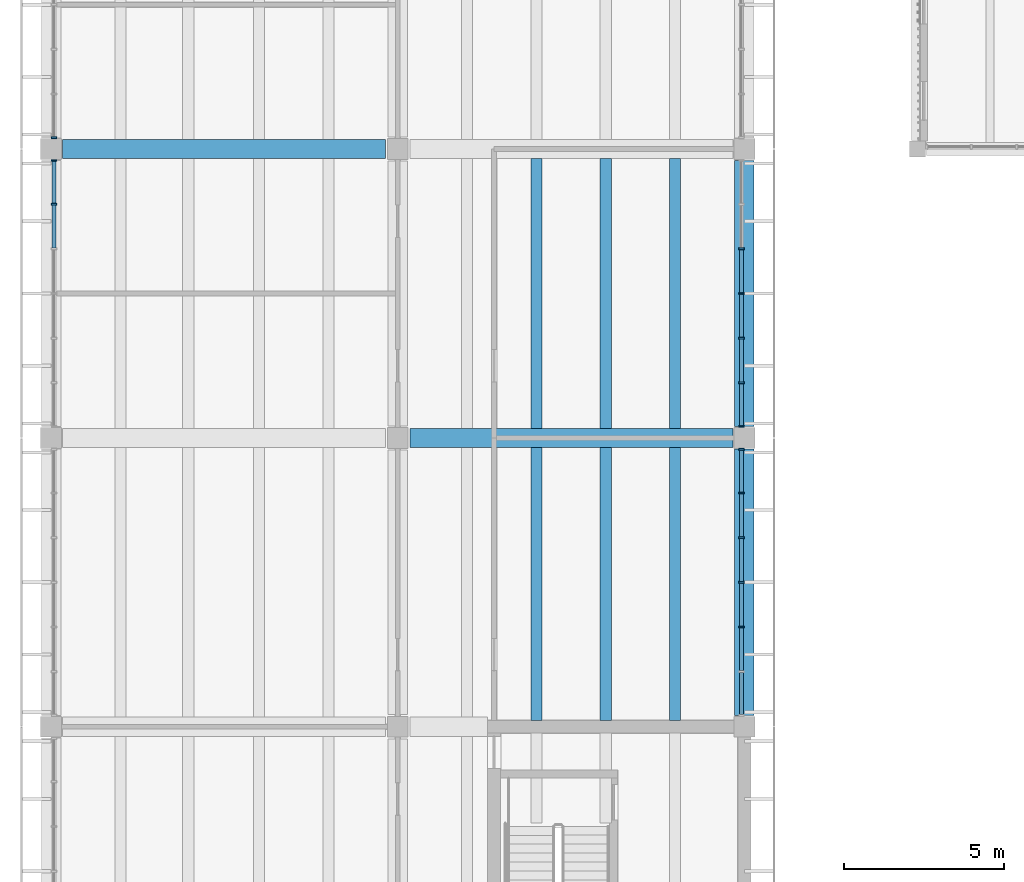
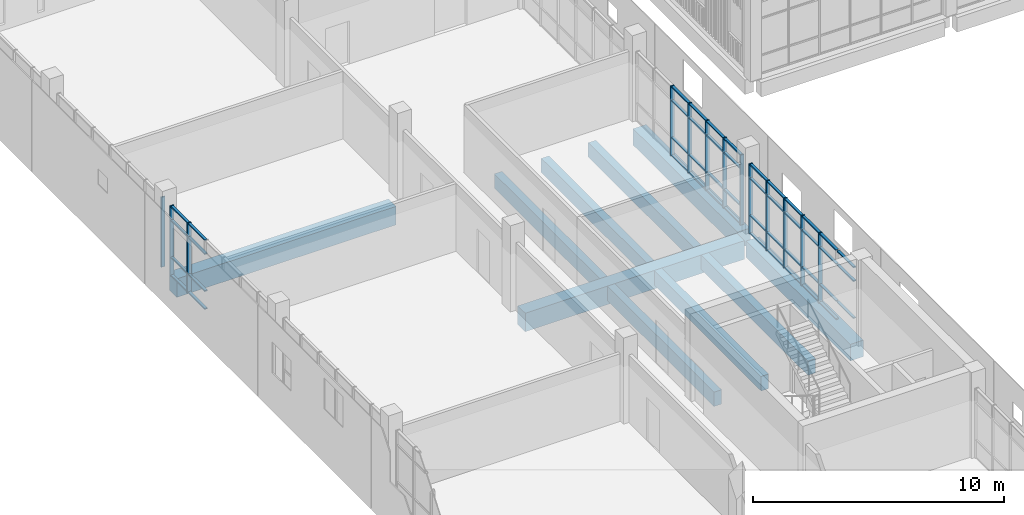
# One storey, part 19 of 92: 60 members, 10 beams, 4 elements without a shape of their own.
"""IFC4 building model written with IfcOpenShell, lengths in metres."""

from ifc_helpers import new_model, si_unit, direction, frame, origin, origin_2d, place, context, subcontext, project, spatial, rectangle, extrude, material, material_profile, profile_set, type_object, element, aggregate, save


model = new_model("IFC4")

# Units and contexts
model_context = context("Model", 3, precision=1e-05, world=origin(), true_north=direction((0.0, 1.0)))
body_context = subcontext(model_context, "Body", "Model", "MODEL_VIEW")
ifc_project = project(units=[si_unit("LENGTHUNIT", "METRE"), si_unit("AREAUNIT", "SQUARE_METRE"), si_unit("VOLUMEUNIT", "CUBIC_METRE"), si_unit("PLANEANGLEUNIT", "RADIAN"), si_unit("MASSUNIT", "GRAM", prefix="KILO")], contexts=[model_context])

# Site, building, storey
site_placement = place(None, origin())
site = spatial("IfcSite", under=ifc_project, at=site_placement, CompositionType="ELEMENT")
building_placement = place(site_placement, origin())
building = spatial("IfcBuilding", under=site, at=building_placement, Name="Merrow Basin Faculty of Sciences", CompositionType="ELEMENT")
storey_placement = place(building_placement, frame((0.0, 0.0, 4.5)))
storey = spatial("IfcBuildingStorey", under=building, at=storey_placement, Name="L01", CompositionType="ELEMENT", Elevation=4.5)

# Curtain wall, members
ifc_material_1 = material(Name="Aluminium alloy 6063", Category="aluminium")
curtain_wall_type = type_object("IfcCurtainWallType", Name="Bar unitised curtain wall 180", PredefinedType="NOTDEFINED", material=ifc_material_1)
curtain_wall_1_placement = place(storey_placement, origin())
curtain_wall_1 = element("IfcCurtainWall", 1, at=curtain_wall_1_placement, inside=storey, type_object=curtain_wall_type, Name="West curtain wall L01 5", PredefinedType="NOTDEFINED")
ifc_material_2 = material(Name="Aluminium alloy 6063", Category="aluminium")
ifc_material_profile_1 = material_profile(ifc_material_2, rectangle(XDim=0.179931640625, YDim=0.06005859375, at=origin_2d()))
ifc_profile_set_1 = profile_set([ifc_material_profile_1], Name="Aluminium alloy 6063")
member_type_1 = type_object("IfcMemberType", Name="Aluminium mullion 60x180", PredefinedType="MULLION", material=ifc_profile_set_1)
member_1_placement = place(storey_placement, frame((0.090087890625, 113.283447265625, 0.0), z_axis=(0.0, 0.0, 1.0), x_axis=(-1.0, 0.0, 0.0)))
member_1 = element("IfcMember", 2, at=member_1_placement, type_object=member_type_1, Name="CW1 mullion 6", PredefinedType="MULLION", context=body_context, shape_type="SweptSolid", body=[
    extrude(rectangle(XDim=0.179931640625, YDim=0.06005859375, at=origin_2d()), origin(), (0.0, 0.0, 1.0), 3.39990234375),
])
member_2_placement = place(storey_placement, frame((0.090087890625, 114.64501953125, 0.0), z_axis=(0.0, 0.0, 1.0), x_axis=(-1.0, 0.0, 0.0)))
member_2 = element("IfcMember", 3, at=member_2_placement, type_object=member_type_1, Name="CW1 mullion 7", PredefinedType="MULLION", context=body_context, shape_type="SweptSolid", body=[
    extrude(rectangle(XDim=0.179931640625, YDim=0.06005859375, at=origin_2d()), origin(), (0.0, 0.0, 1.0), 3.39990234375),
])

# Curtain wall, member
curtain_wall_2_placement = place(storey_placement, origin())
curtain_wall_2 = element("IfcCurtainWall", 4, at=curtain_wall_2_placement, inside=storey, type_object=curtain_wall_type, Name="West curtain wall L01 6", PredefinedType="NOTDEFINED")
member_3_placement = place(storey_placement, frame((0.090087890625, 115.35498046875, 0.0), z_axis=(0.0, 0.0, 1.0), x_axis=(-1.0, 0.0, 0.0)))
member_3 = element("IfcMember", 5, at=member_3_placement, type_object=member_type_1, Name="CW1 mullion 1", PredefinedType="MULLION", context=body_context, shape_type="SweptSolid", body=[
    extrude(rectangle(XDim=0.179931640625, YDim=0.06005859375, at=origin_2d()), origin(), (0.0, 0.0, 1.0), 3.39990234375),
])
aggregate(curtain_wall_2, [member_3])

# Curtain wall, members
curtain_wall_3_placement = place(storey_placement, origin())
curtain_wall_3 = element("IfcCurtainWall", 6, at=curtain_wall_3_placement, inside=storey, type_object=curtain_wall_type, Name="East curtain wall L01 4", PredefinedType="NOTDEFINED")
member_4_placement = place(storey_placement, frame((21.510009765625, 100.1083984375, 0.0), z_axis=(0.0, 0.0, 1.0), x_axis=(-1.0, 0.0, 0.0)))
member_4 = element("IfcMember", 7, at=member_4_placement, type_object=member_type_1, Name="CW1 mullion 3", PredefinedType="MULLION", context=body_context, shape_type="SweptSolid", body=[
    extrude(rectangle(XDim=0.179931640625, YDim=0.06005859375, at=origin_2d()), origin(), (0.0, 0.0, 1.0), 3.39990234375),
])
member_5_placement = place(storey_placement, frame((21.510009765625, 101.5, 0.0), z_axis=(0.0, 0.0, 1.0), x_axis=(-1.0, 0.0, 0.0)))
member_5 = element("IfcMember", 8, at=member_5_placement, type_object=member_type_1, Name="CW1 mullion 4", PredefinedType="MULLION", context=body_context, shape_type="SweptSolid", body=[
    extrude(rectangle(XDim=0.179931640625, YDim=0.06005859375, at=origin_2d()), origin(), (0.0, 0.0, 1.0), 3.39990234375),
])
member_6_placement = place(storey_placement, frame((21.510009765625, 102.8916015625, 0.0), z_axis=(0.0, 0.0, 1.0), x_axis=(-1.0, 0.0, 0.0)))
member_6 = element("IfcMember", 9, at=member_6_placement, type_object=member_type_1, Name="CW1 mullion 5", PredefinedType="MULLION", context=body_context, shape_type="SweptSolid", body=[
    extrude(rectangle(XDim=0.179931640625, YDim=0.06005859375, at=origin_2d()), origin(), (0.0, 0.0, 1.0), 3.39990234375),
])
member_7_placement = place(storey_placement, frame((21.510009765625, 104.283447265625, 0.0), z_axis=(0.0, 0.0, 1.0), x_axis=(-1.0, 0.0, 0.0)))
member_7 = element("IfcMember", 10, at=member_7_placement, type_object=member_type_1, Name="CW1 mullion 6", PredefinedType="MULLION", context=body_context, shape_type="SweptSolid", body=[
    extrude(rectangle(XDim=0.179931640625, YDim=0.06005859375, at=origin_2d()), origin(), (0.0, 0.0, 1.0), 3.39990234375),
])
member_8_placement = place(storey_placement, frame((21.510009765625, 105.64501953125, 0.0), z_axis=(0.0, 0.0, 1.0), x_axis=(-1.0, 0.0, 0.0)))
member_8 = element("IfcMember", 11, at=member_8_placement, type_object=member_type_1, Name="CW1 mullion 7", PredefinedType="MULLION", context=body_context, shape_type="SweptSolid", body=[
    extrude(rectangle(XDim=0.179931640625, YDim=0.06005859375, at=origin_2d()), origin(), (0.0, 0.0, 1.0), 3.39990234375),
])

curtain_wall_4_placement = place(storey_placement, origin())
curtain_wall_4 = element("IfcCurtainWall", 12, at=curtain_wall_4_placement, inside=storey, type_object=curtain_wall_type, Name="East curtain wall L01 5", PredefinedType="NOTDEFINED")
member_9_placement = place(storey_placement, frame((21.510009765625, 106.35498046875, 0.0), z_axis=(0.0, 0.0, 1.0), x_axis=(-1.0, 0.0, 0.0)))
member_9 = element("IfcMember", 13, at=member_9_placement, type_object=member_type_1, Name="CW1 mullion 1", PredefinedType="MULLION", context=body_context, shape_type="SweptSolid", body=[
    extrude(rectangle(XDim=0.179931640625, YDim=0.06005859375, at=origin_2d()), origin(), (0.0, 0.0, 1.0), 3.39990234375),
])
member_10_placement = place(storey_placement, frame((21.510009765625, 107.716552734375, 0.0), z_axis=(0.0, 0.0, 1.0), x_axis=(-1.0, 0.0, 0.0)))
member_10 = element("IfcMember", 14, at=member_10_placement, type_object=member_type_1, Name="CW1 mullion 2", PredefinedType="MULLION", context=body_context, shape_type="SweptSolid", body=[
    extrude(rectangle(XDim=0.179931640625, YDim=0.06005859375, at=origin_2d()), origin(), (0.0, 0.0, 1.0), 3.39990234375),
])
member_11_placement = place(storey_placement, frame((21.510009765625, 109.1083984375, 0.0), z_axis=(0.0, 0.0, 1.0), x_axis=(-1.0, 0.0, 0.0)))
member_11 = element("IfcMember", 15, at=member_11_placement, type_object=member_type_1, Name="CW1 mullion 3", PredefinedType="MULLION", context=body_context, shape_type="SweptSolid", body=[
    extrude(rectangle(XDim=0.179931640625, YDim=0.06005859375, at=origin_2d()), origin(), (0.0, 0.0, 1.0), 3.39990234375),
])
member_12_placement = place(storey_placement, frame((21.510009765625, 110.5, 0.0), z_axis=(0.0, 0.0, 1.0), x_axis=(-1.0, 0.0, 0.0)))
member_12 = element("IfcMember", 16, at=member_12_placement, type_object=member_type_1, Name="CW1 mullion 4", PredefinedType="MULLION", context=body_context, shape_type="SweptSolid", body=[
    extrude(rectangle(XDim=0.179931640625, YDim=0.06005859375, at=origin_2d()), origin(), (0.0, 0.0, 1.0), 3.39990234375),
])
member_13_placement = place(storey_placement, frame((21.510009765625, 111.8916015625, 0.0), z_axis=(0.0, 0.0, 1.0), x_axis=(-1.0, 0.0, 0.0)))
member_13 = element("IfcMember", 17, at=member_13_placement, type_object=member_type_1, Name="CW1 mullion 5", PredefinedType="MULLION", context=body_context, shape_type="SweptSolid", body=[
    extrude(rectangle(XDim=0.179931640625, YDim=0.06005859375, at=origin_2d()), origin(), (0.0, 0.0, 1.0), 3.39990234375),
])

# Member
ifc_material_3 = material(Name="Aluminium alloy 6063", Category="aluminium")
ifc_material_profile_2 = material_profile(ifc_material_3, rectangle(XDim=0.1201171875, YDim=0.06005859375, at=origin_2d()))
ifc_profile_set_2 = profile_set([ifc_material_profile_2], Name="Aluminium alloy 6063")
member_type_2 = type_object("IfcMemberType", Name="Aluminium transom 60x120", PredefinedType="USERDEFINED", material=ifc_profile_set_2)
member_14_placement = place(storey_placement, frame((0.090087890625, 111.921630859375, 0.030029296875), z_axis=(0.0, 1.0, 0.0), x_axis=(-1.0, 0.0, 0.0)))
member_14 = element("IfcMember", 18, at=member_14_placement, type_object=member_type_2, Name="CW1 transom 5.1", ObjectType="TRANSOM", PredefinedType="USERDEFINED", context=body_context, shape_type="SweptSolid", body=[
    extrude(rectangle(XDim=0.1201171875, YDim=0.06005859375, at=origin_2d()), origin(), (0.0, 0.0, 1.0), 1.331787109375),
])

member_15_placement = place(storey_placement, frame((0.090087890625, 111.921630859375, 0.89990234375), z_axis=(0.0, 1.0, 0.0), x_axis=(-1.0, 0.0, 0.0)))
member_15 = element("IfcMember", 19, at=member_15_placement, type_object=member_type_2, Name="CW1 transom 5.2", ObjectType="TRANSOM", PredefinedType="USERDEFINED", context=body_context, shape_type="SweptSolid", body=[
    extrude(rectangle(XDim=0.1201171875, YDim=0.06005859375, at=origin_2d()), origin(), (0.0, 0.0, 1.0), 1.331787109375),
])

member_16_placement = place(storey_placement, frame((0.090087890625, 111.921630859375, 2.699951171875), z_axis=(0.0, 1.0, 0.0), x_axis=(-1.0, 0.0, 0.0)))
member_16 = element("IfcMember", 20, at=member_16_placement, type_object=member_type_2, Name="CW1 transom 5.3", ObjectType="TRANSOM", PredefinedType="USERDEFINED", context=body_context, shape_type="SweptSolid", body=[
    extrude(rectangle(XDim=0.1201171875, YDim=0.06005859375, at=origin_2d()), origin(), (0.0, 0.0, 1.0), 1.331787109375),
])

member_17_placement = place(storey_placement, frame((0.090087890625, 111.921630859375, 3.3701171875), z_axis=(0.0, 1.0, 0.0), x_axis=(-1.0, 0.0, 0.0)))
member_17 = element("IfcMember", 21, at=member_17_placement, type_object=member_type_2, Name="CW1 transom 5.4", ObjectType="TRANSOM", PredefinedType="USERDEFINED", context=body_context, shape_type="SweptSolid", body=[
    extrude(rectangle(XDim=0.1201171875, YDim=0.06005859375, at=origin_2d()), origin(), (0.0, 0.0, 1.0), 1.331787109375),
])

member_18_placement = place(storey_placement, frame((0.090087890625, 113.313232421875, 0.030029296875), z_axis=(0.0, 1.0, 0.0), x_axis=(-1.0, 0.0, 0.0)))
member_18 = element("IfcMember", 22, at=member_18_placement, type_object=member_type_2, Name="CW1 transom 6.1", ObjectType="TRANSOM", PredefinedType="USERDEFINED", context=body_context, shape_type="SweptSolid", body=[
    extrude(rectangle(XDim=0.1201171875, YDim=0.06005859375, at=origin_2d()), origin(), (0.0, 0.0, 1.0), 1.3017578125),
])

member_19_placement = place(storey_placement, frame((0.090087890625, 113.313232421875, 0.89990234375), z_axis=(0.0, 1.0, 0.0), x_axis=(-1.0, 0.0, 0.0)))
member_19 = element("IfcMember", 23, at=member_19_placement, type_object=member_type_2, Name="CW1 transom 6.2", ObjectType="TRANSOM", PredefinedType="USERDEFINED", context=body_context, shape_type="SweptSolid", body=[
    extrude(rectangle(XDim=0.1201171875, YDim=0.06005859375, at=origin_2d()), origin(), (0.0, 0.0, 1.0), 1.3017578125),
])

member_20_placement = place(storey_placement, frame((0.090087890625, 113.313232421875, 2.699951171875), z_axis=(0.0, 1.0, 0.0), x_axis=(-1.0, 0.0, 0.0)))
member_20 = element("IfcMember", 24, at=member_20_placement, type_object=member_type_2, Name="CW1 transom 6.3", ObjectType="TRANSOM", PredefinedType="USERDEFINED", context=body_context, shape_type="SweptSolid", body=[
    extrude(rectangle(XDim=0.1201171875, YDim=0.06005859375, at=origin_2d()), origin(), (0.0, 0.0, 1.0), 1.3017578125),
])

member_21_placement = place(storey_placement, frame((0.090087890625, 113.313232421875, 3.3701171875), z_axis=(0.0, 1.0, 0.0), x_axis=(-1.0, 0.0, 0.0)))
member_21 = element("IfcMember", 25, at=member_21_placement, type_object=member_type_2, Name="CW1 transom 6.4", ObjectType="TRANSOM", PredefinedType="USERDEFINED", context=body_context, shape_type="SweptSolid", body=[
    extrude(rectangle(XDim=0.1201171875, YDim=0.06005859375, at=origin_2d()), origin(), (0.0, 0.0, 1.0), 1.3017578125),
])

aggregate(curtain_wall_1, [member_1, member_2, member_14, member_15, member_16, member_17, member_18, member_19, member_20, member_21])

member_22_placement = place(storey_placement, frame((21.510009765625, 97.385009765625, 0.89990234375), z_axis=(0.0, 1.0, 0.0), x_axis=(-1.0, 0.0, 0.0)))
member_22 = element("IfcMember", 26, at=member_22_placement, type_object=member_type_2, Name="CW1 transom 1.2", ObjectType="TRANSOM", PredefinedType="USERDEFINED", context=body_context, shape_type="SweptSolid", body=[
    extrude(rectangle(XDim=0.1201171875, YDim=0.06005859375, at=origin_2d()), origin(), (0.0, 0.0, 1.0), 1.3017578125),
])

member_23_placement = place(storey_placement, frame((21.510009765625, 97.385009765625, 2.699951171875), z_axis=(0.0, 1.0, 0.0), x_axis=(-1.0, 0.0, 0.0)))
member_23 = element("IfcMember", 27, at=member_23_placement, type_object=member_type_2, Name="CW1 transom 1.3", ObjectType="TRANSOM", PredefinedType="USERDEFINED", context=body_context, shape_type="SweptSolid", body=[
    extrude(rectangle(XDim=0.1201171875, YDim=0.06005859375, at=origin_2d()), origin(), (0.0, 0.0, 1.0), 1.3017578125),
])

member_24_placement = place(storey_placement, frame((21.510009765625, 97.385009765625, 3.3701171875), z_axis=(0.0, 1.0, 0.0), x_axis=(-1.0, 0.0, 0.0)))
member_24 = element("IfcMember", 28, at=member_24_placement, type_object=member_type_2, Name="CW1 transom 1.4", ObjectType="TRANSOM", PredefinedType="USERDEFINED", context=body_context, shape_type="SweptSolid", body=[
    extrude(rectangle(XDim=0.1201171875, YDim=0.06005859375, at=origin_2d()), origin(), (0.0, 0.0, 1.0), 1.3017578125),
])

member_25_placement = place(storey_placement, frame((21.510009765625, 98.74658203125, 0.030029296875), z_axis=(0.0, 1.0, 0.0), x_axis=(-1.0, 0.0, 0.0)))
member_25 = element("IfcMember", 29, at=member_25_placement, type_object=member_type_2, Name="CW1 transom 2.1", ObjectType="TRANSOM", PredefinedType="USERDEFINED", context=body_context, shape_type="SweptSolid", body=[
    extrude(rectangle(XDim=0.1201171875, YDim=0.06005859375, at=origin_2d()), origin(), (0.0, 0.0, 1.0), 1.331787109375),
])

member_26_placement = place(storey_placement, frame((21.510009765625, 98.74658203125, 0.89990234375), z_axis=(0.0, 1.0, 0.0), x_axis=(-1.0, 0.0, 0.0)))
member_26 = element("IfcMember", 30, at=member_26_placement, type_object=member_type_2, Name="CW1 transom 2.2", ObjectType="TRANSOM", PredefinedType="USERDEFINED", context=body_context, shape_type="SweptSolid", body=[
    extrude(rectangle(XDim=0.1201171875, YDim=0.06005859375, at=origin_2d()), origin(), (0.0, 0.0, 1.0), 1.331787109375),
])

member_27_placement = place(storey_placement, frame((21.510009765625, 98.74658203125, 2.699951171875), z_axis=(0.0, 1.0, 0.0), x_axis=(-1.0, 0.0, 0.0)))
member_27 = element("IfcMember", 31, at=member_27_placement, type_object=member_type_2, Name="CW1 transom 2.3", ObjectType="TRANSOM", PredefinedType="USERDEFINED", context=body_context, shape_type="SweptSolid", body=[
    extrude(rectangle(XDim=0.1201171875, YDim=0.06005859375, at=origin_2d()), origin(), (0.0, 0.0, 1.0), 1.331787109375),
])

member_28_placement = place(storey_placement, frame((21.510009765625, 98.74658203125, 3.3701171875), z_axis=(0.0, 1.0, 0.0), x_axis=(-1.0, 0.0, 0.0)))
member_28 = element("IfcMember", 32, at=member_28_placement, type_object=member_type_2, Name="CW1 transom 2.4", ObjectType="TRANSOM", PredefinedType="USERDEFINED", context=body_context, shape_type="SweptSolid", body=[
    extrude(rectangle(XDim=0.1201171875, YDim=0.06005859375, at=origin_2d()), origin(), (0.0, 0.0, 1.0), 1.331787109375),
])

member_29_placement = place(storey_placement, frame((21.510009765625, 100.138427734375, 0.030029296875), z_axis=(0.0, 1.0, 0.0), x_axis=(-1.0, 0.0, 0.0)))
member_29 = element("IfcMember", 33, at=member_29_placement, type_object=member_type_2, Name="CW1 transom 3.1", ObjectType="TRANSOM", PredefinedType="USERDEFINED", context=body_context, shape_type="SweptSolid", body=[
    extrude(rectangle(XDim=0.1201171875, YDim=0.06005859375, at=origin_2d()), origin(), (0.0, 0.0, 1.0), 1.33154296875),
])

member_30_placement = place(storey_placement, frame((21.510009765625, 100.138427734375, 0.89990234375), z_axis=(0.0, 1.0, 0.0), x_axis=(-1.0, 0.0, 0.0)))
member_30 = element("IfcMember", 34, at=member_30_placement, type_object=member_type_2, Name="CW1 transom 3.2", ObjectType="TRANSOM", PredefinedType="USERDEFINED", context=body_context, shape_type="SweptSolid", body=[
    extrude(rectangle(XDim=0.1201171875, YDim=0.06005859375, at=origin_2d()), origin(), (0.0, 0.0, 1.0), 1.33154296875),
])

member_31_placement = place(storey_placement, frame((21.510009765625, 100.138427734375, 2.699951171875), z_axis=(0.0, 1.0, 0.0), x_axis=(-1.0, 0.0, 0.0)))
member_31 = element("IfcMember", 35, at=member_31_placement, type_object=member_type_2, Name="CW1 transom 3.3", ObjectType="TRANSOM", PredefinedType="USERDEFINED", context=body_context, shape_type="SweptSolid", body=[
    extrude(rectangle(XDim=0.1201171875, YDim=0.06005859375, at=origin_2d()), origin(), (0.0, 0.0, 1.0), 1.33154296875),
])

member_32_placement = place(storey_placement, frame((21.510009765625, 100.138427734375, 3.3701171875), z_axis=(0.0, 1.0, 0.0), x_axis=(-1.0, 0.0, 0.0)))
member_32 = element("IfcMember", 36, at=member_32_placement, type_object=member_type_2, Name="CW1 transom 3.4", ObjectType="TRANSOM", PredefinedType="USERDEFINED", context=body_context, shape_type="SweptSolid", body=[
    extrude(rectangle(XDim=0.1201171875, YDim=0.06005859375, at=origin_2d()), origin(), (0.0, 0.0, 1.0), 1.33154296875),
])

member_33_placement = place(storey_placement, frame((21.510009765625, 101.530029296875, 0.030029296875), z_axis=(0.0, 1.0, 0.0), x_axis=(-1.0, 0.0, 0.0)))
member_33 = element("IfcMember", 37, at=member_33_placement, type_object=member_type_2, Name="CW1 transom 4.1", ObjectType="TRANSOM", PredefinedType="USERDEFINED", context=body_context, shape_type="SweptSolid", body=[
    extrude(rectangle(XDim=0.1201171875, YDim=0.06005859375, at=origin_2d()), origin(), (0.0, 0.0, 1.0), 1.33154296875),
])

member_34_placement = place(storey_placement, frame((21.510009765625, 101.530029296875, 0.89990234375), z_axis=(0.0, 1.0, 0.0), x_axis=(-1.0, 0.0, 0.0)))
member_34 = element("IfcMember", 38, at=member_34_placement, type_object=member_type_2, Name="CW1 transom 4.2", ObjectType="TRANSOM", PredefinedType="USERDEFINED", context=body_context, shape_type="SweptSolid", body=[
    extrude(rectangle(XDim=0.1201171875, YDim=0.06005859375, at=origin_2d()), origin(), (0.0, 0.0, 1.0), 1.33154296875),
])

member_35_placement = place(storey_placement, frame((21.510009765625, 101.530029296875, 2.699951171875), z_axis=(0.0, 1.0, 0.0), x_axis=(-1.0, 0.0, 0.0)))
member_35 = element("IfcMember", 39, at=member_35_placement, type_object=member_type_2, Name="CW1 transom 4.3", ObjectType="TRANSOM", PredefinedType="USERDEFINED", context=body_context, shape_type="SweptSolid", body=[
    extrude(rectangle(XDim=0.1201171875, YDim=0.06005859375, at=origin_2d()), origin(), (0.0, 0.0, 1.0), 1.33154296875),
])

member_36_placement = place(storey_placement, frame((21.510009765625, 101.530029296875, 3.3701171875), z_axis=(0.0, 1.0, 0.0), x_axis=(-1.0, 0.0, 0.0)))
member_36 = element("IfcMember", 40, at=member_36_placement, type_object=member_type_2, Name="CW1 transom 4.4", ObjectType="TRANSOM", PredefinedType="USERDEFINED", context=body_context, shape_type="SweptSolid", body=[
    extrude(rectangle(XDim=0.1201171875, YDim=0.06005859375, at=origin_2d()), origin(), (0.0, 0.0, 1.0), 1.33154296875),
])

member_37_placement = place(storey_placement, frame((21.510009765625, 102.921630859375, 0.030029296875), z_axis=(0.0, 1.0, 0.0), x_axis=(-1.0, 0.0, 0.0)))
member_37 = element("IfcMember", 41, at=member_37_placement, type_object=member_type_2, Name="CW1 transom 5.1", ObjectType="TRANSOM", PredefinedType="USERDEFINED", context=body_context, shape_type="SweptSolid", body=[
    extrude(rectangle(XDim=0.1201171875, YDim=0.06005859375, at=origin_2d()), origin(), (0.0, 0.0, 1.0), 1.331787109375),
])

member_38_placement = place(storey_placement, frame((21.510009765625, 102.921630859375, 0.89990234375), z_axis=(0.0, 1.0, 0.0), x_axis=(-1.0, 0.0, 0.0)))
member_38 = element("IfcMember", 42, at=member_38_placement, type_object=member_type_2, Name="CW1 transom 5.2", ObjectType="TRANSOM", PredefinedType="USERDEFINED", context=body_context, shape_type="SweptSolid", body=[
    extrude(rectangle(XDim=0.1201171875, YDim=0.06005859375, at=origin_2d()), origin(), (0.0, 0.0, 1.0), 1.331787109375),
])

member_39_placement = place(storey_placement, frame((21.510009765625, 102.921630859375, 2.699951171875), z_axis=(0.0, 1.0, 0.0), x_axis=(-1.0, 0.0, 0.0)))
member_39 = element("IfcMember", 43, at=member_39_placement, type_object=member_type_2, Name="CW1 transom 5.3", ObjectType="TRANSOM", PredefinedType="USERDEFINED", context=body_context, shape_type="SweptSolid", body=[
    extrude(rectangle(XDim=0.1201171875, YDim=0.06005859375, at=origin_2d()), origin(), (0.0, 0.0, 1.0), 1.331787109375),
])

member_40_placement = place(storey_placement, frame((21.510009765625, 102.921630859375, 3.3701171875), z_axis=(0.0, 1.0, 0.0), x_axis=(-1.0, 0.0, 0.0)))
member_40 = element("IfcMember", 44, at=member_40_placement, type_object=member_type_2, Name="CW1 transom 5.4", ObjectType="TRANSOM", PredefinedType="USERDEFINED", context=body_context, shape_type="SweptSolid", body=[
    extrude(rectangle(XDim=0.1201171875, YDim=0.06005859375, at=origin_2d()), origin(), (0.0, 0.0, 1.0), 1.331787109375),
])

member_41_placement = place(storey_placement, frame((21.510009765625, 104.313232421875, 0.030029296875), z_axis=(0.0, 1.0, 0.0), x_axis=(-1.0, 0.0, 0.0)))
member_41 = element("IfcMember", 45, at=member_41_placement, type_object=member_type_2, Name="CW1 transom 6.1", ObjectType="TRANSOM", PredefinedType="USERDEFINED", context=body_context, shape_type="SweptSolid", body=[
    extrude(rectangle(XDim=0.1201171875, YDim=0.06005859375, at=origin_2d()), origin(), (0.0, 0.0, 1.0), 1.3017578125),
])

member_42_placement = place(storey_placement, frame((21.510009765625, 104.313232421875, 0.89990234375), z_axis=(0.0, 1.0, 0.0), x_axis=(-1.0, 0.0, 0.0)))
member_42 = element("IfcMember", 46, at=member_42_placement, type_object=member_type_2, Name="CW1 transom 6.2", ObjectType="TRANSOM", PredefinedType="USERDEFINED", context=body_context, shape_type="SweptSolid", body=[
    extrude(rectangle(XDim=0.1201171875, YDim=0.06005859375, at=origin_2d()), origin(), (0.0, 0.0, 1.0), 1.3017578125),
])

member_43_placement = place(storey_placement, frame((21.510009765625, 104.313232421875, 2.699951171875), z_axis=(0.0, 1.0, 0.0), x_axis=(-1.0, 0.0, 0.0)))
member_43 = element("IfcMember", 47, at=member_43_placement, type_object=member_type_2, Name="CW1 transom 6.3", ObjectType="TRANSOM", PredefinedType="USERDEFINED", context=body_context, shape_type="SweptSolid", body=[
    extrude(rectangle(XDim=0.1201171875, YDim=0.06005859375, at=origin_2d()), origin(), (0.0, 0.0, 1.0), 1.3017578125),
])

member_44_placement = place(storey_placement, frame((21.510009765625, 104.313232421875, 3.3701171875), z_axis=(0.0, 1.0, 0.0), x_axis=(-1.0, 0.0, 0.0)))
member_44 = element("IfcMember", 48, at=member_44_placement, type_object=member_type_2, Name="CW1 transom 6.4", ObjectType="TRANSOM", PredefinedType="USERDEFINED", context=body_context, shape_type="SweptSolid", body=[
    extrude(rectangle(XDim=0.1201171875, YDim=0.06005859375, at=origin_2d()), origin(), (0.0, 0.0, 1.0), 1.3017578125),
])

aggregate(curtain_wall_3, [member_4, member_5, member_6, member_7, member_8, member_22, member_23, member_24, member_25, member_26, member_27, member_28, member_29, member_30, member_31, member_32, member_33, member_34, member_35, member_36, member_37, member_38, member_39, member_40, member_41, member_42, member_43, member_44])

member_45_placement = place(storey_placement, frame((21.510009765625, 106.385009765625, 0.030029296875), z_axis=(0.0, 1.0, 0.0), x_axis=(-1.0, 0.0, 0.0)))
member_45 = element("IfcMember", 49, at=member_45_placement, type_object=member_type_2, Name="CW1 transom 1.1", ObjectType="TRANSOM", PredefinedType="USERDEFINED", context=body_context, shape_type="SweptSolid", body=[
    extrude(rectangle(XDim=0.1201171875, YDim=0.06005859375, at=origin_2d()), origin(), (0.0, 0.0, 1.0), 1.3017578125),
])

member_46_placement = place(storey_placement, frame((21.510009765625, 106.385009765625, 0.89990234375), z_axis=(0.0, 1.0, 0.0), x_axis=(-1.0, 0.0, 0.0)))
member_46 = element("IfcMember", 50, at=member_46_placement, type_object=member_type_2, Name="CW1 transom 1.2", ObjectType="TRANSOM", PredefinedType="USERDEFINED", context=body_context, shape_type="SweptSolid", body=[
    extrude(rectangle(XDim=0.1201171875, YDim=0.06005859375, at=origin_2d()), origin(), (0.0, 0.0, 1.0), 1.3017578125),
])

member_47_placement = place(storey_placement, frame((21.510009765625, 106.385009765625, 2.699951171875), z_axis=(0.0, 1.0, 0.0), x_axis=(-1.0, 0.0, 0.0)))
member_47 = element("IfcMember", 51, at=member_47_placement, type_object=member_type_2, Name="CW1 transom 1.3", ObjectType="TRANSOM", PredefinedType="USERDEFINED", context=body_context, shape_type="SweptSolid", body=[
    extrude(rectangle(XDim=0.1201171875, YDim=0.06005859375, at=origin_2d()), origin(), (0.0, 0.0, 1.0), 1.3017578125),
])

member_48_placement = place(storey_placement, frame((21.510009765625, 106.385009765625, 3.3701171875), z_axis=(0.0, 1.0, 0.0), x_axis=(-1.0, 0.0, 0.0)))
member_48 = element("IfcMember", 52, at=member_48_placement, type_object=member_type_2, Name="CW1 transom 1.4", ObjectType="TRANSOM", PredefinedType="USERDEFINED", context=body_context, shape_type="SweptSolid", body=[
    extrude(rectangle(XDim=0.1201171875, YDim=0.06005859375, at=origin_2d()), origin(), (0.0, 0.0, 1.0), 1.3017578125),
])

member_49_placement = place(storey_placement, frame((21.510009765625, 107.74658203125, 0.030029296875), z_axis=(0.0, 1.0, 0.0), x_axis=(-1.0, 0.0, 0.0)))
member_49 = element("IfcMember", 53, at=member_49_placement, type_object=member_type_2, Name="CW1 transom 2.1", ObjectType="TRANSOM", PredefinedType="USERDEFINED", context=body_context, shape_type="SweptSolid", body=[
    extrude(rectangle(XDim=0.1201171875, YDim=0.06005859375, at=origin_2d()), origin(), (0.0, 0.0, 1.0), 1.331787109375),
])

member_50_placement = place(storey_placement, frame((21.510009765625, 107.74658203125, 0.89990234375), z_axis=(0.0, 1.0, 0.0), x_axis=(-1.0, 0.0, 0.0)))
member_50 = element("IfcMember", 54, at=member_50_placement, type_object=member_type_2, Name="CW1 transom 2.2", ObjectType="TRANSOM", PredefinedType="USERDEFINED", context=body_context, shape_type="SweptSolid", body=[
    extrude(rectangle(XDim=0.1201171875, YDim=0.06005859375, at=origin_2d()), origin(), (0.0, 0.0, 1.0), 1.331787109375),
])

member_51_placement = place(storey_placement, frame((21.510009765625, 107.74658203125, 2.699951171875), z_axis=(0.0, 1.0, 0.0), x_axis=(-1.0, 0.0, 0.0)))
member_51 = element("IfcMember", 55, at=member_51_placement, type_object=member_type_2, Name="CW1 transom 2.3", ObjectType="TRANSOM", PredefinedType="USERDEFINED", context=body_context, shape_type="SweptSolid", body=[
    extrude(rectangle(XDim=0.1201171875, YDim=0.06005859375, at=origin_2d()), origin(), (0.0, 0.0, 1.0), 1.331787109375),
])

member_52_placement = place(storey_placement, frame((21.510009765625, 107.74658203125, 3.3701171875), z_axis=(0.0, 1.0, 0.0), x_axis=(-1.0, 0.0, 0.0)))
member_52 = element("IfcMember", 56, at=member_52_placement, type_object=member_type_2, Name="CW1 transom 2.4", ObjectType="TRANSOM", PredefinedType="USERDEFINED", context=body_context, shape_type="SweptSolid", body=[
    extrude(rectangle(XDim=0.1201171875, YDim=0.06005859375, at=origin_2d()), origin(), (0.0, 0.0, 1.0), 1.331787109375),
])

member_53_placement = place(storey_placement, frame((21.510009765625, 109.138427734375, 0.030029296875), z_axis=(0.0, 1.0, 0.0), x_axis=(-1.0, 0.0, 0.0)))
member_53 = element("IfcMember", 57, at=member_53_placement, type_object=member_type_2, Name="CW1 transom 3.1", ObjectType="TRANSOM", PredefinedType="USERDEFINED", context=body_context, shape_type="SweptSolid", body=[
    extrude(rectangle(XDim=0.1201171875, YDim=0.06005859375, at=origin_2d()), origin(), (0.0, 0.0, 1.0), 1.33154296875),
])

member_54_placement = place(storey_placement, frame((21.510009765625, 109.138427734375, 0.89990234375), z_axis=(0.0, 1.0, 0.0), x_axis=(-1.0, 0.0, 0.0)))
member_54 = element("IfcMember", 58, at=member_54_placement, type_object=member_type_2, Name="CW1 transom 3.2", ObjectType="TRANSOM", PredefinedType="USERDEFINED", context=body_context, shape_type="SweptSolid", body=[
    extrude(rectangle(XDim=0.1201171875, YDim=0.06005859375, at=origin_2d()), origin(), (0.0, 0.0, 1.0), 1.33154296875),
])

member_55_placement = place(storey_placement, frame((21.510009765625, 109.138427734375, 2.699951171875), z_axis=(0.0, 1.0, 0.0), x_axis=(-1.0, 0.0, 0.0)))
member_55 = element("IfcMember", 59, at=member_55_placement, type_object=member_type_2, Name="CW1 transom 3.3", ObjectType="TRANSOM", PredefinedType="USERDEFINED", context=body_context, shape_type="SweptSolid", body=[
    extrude(rectangle(XDim=0.1201171875, YDim=0.06005859375, at=origin_2d()), origin(), (0.0, 0.0, 1.0), 1.33154296875),
])

member_56_placement = place(storey_placement, frame((21.510009765625, 109.138427734375, 3.3701171875), z_axis=(0.0, 1.0, 0.0), x_axis=(-1.0, 0.0, 0.0)))
member_56 = element("IfcMember", 60, at=member_56_placement, type_object=member_type_2, Name="CW1 transom 3.4", ObjectType="TRANSOM", PredefinedType="USERDEFINED", context=body_context, shape_type="SweptSolid", body=[
    extrude(rectangle(XDim=0.1201171875, YDim=0.06005859375, at=origin_2d()), origin(), (0.0, 0.0, 1.0), 1.33154296875),
])

member_57_placement = place(storey_placement, frame((21.510009765625, 110.530029296875, 0.030029296875), z_axis=(0.0, 1.0, 0.0), x_axis=(-1.0, 0.0, 0.0)))
member_57 = element("IfcMember", 61, at=member_57_placement, type_object=member_type_2, Name="CW1 transom 4.1", ObjectType="TRANSOM", PredefinedType="USERDEFINED", context=body_context, shape_type="SweptSolid", body=[
    extrude(rectangle(XDim=0.1201171875, YDim=0.06005859375, at=origin_2d()), origin(), (0.0, 0.0, 1.0), 1.33154296875),
])

member_58_placement = place(storey_placement, frame((21.510009765625, 110.530029296875, 0.89990234375), z_axis=(0.0, 1.0, 0.0), x_axis=(-1.0, 0.0, 0.0)))
member_58 = element("IfcMember", 62, at=member_58_placement, type_object=member_type_2, Name="CW1 transom 4.2", ObjectType="TRANSOM", PredefinedType="USERDEFINED", context=body_context, shape_type="SweptSolid", body=[
    extrude(rectangle(XDim=0.1201171875, YDim=0.06005859375, at=origin_2d()), origin(), (0.0, 0.0, 1.0), 1.33154296875),
])

member_59_placement = place(storey_placement, frame((21.510009765625, 110.530029296875, 2.699951171875), z_axis=(0.0, 1.0, 0.0), x_axis=(-1.0, 0.0, 0.0)))
member_59 = element("IfcMember", 63, at=member_59_placement, type_object=member_type_2, Name="CW1 transom 4.3", ObjectType="TRANSOM", PredefinedType="USERDEFINED", context=body_context, shape_type="SweptSolid", body=[
    extrude(rectangle(XDim=0.1201171875, YDim=0.06005859375, at=origin_2d()), origin(), (0.0, 0.0, 1.0), 1.33154296875),
])

member_60_placement = place(storey_placement, frame((21.510009765625, 110.530029296875, 3.3701171875), z_axis=(0.0, 1.0, 0.0), x_axis=(-1.0, 0.0, 0.0)))
member_60 = element("IfcMember", 64, at=member_60_placement, type_object=member_type_2, Name="CW1 transom 4.4", ObjectType="TRANSOM", PredefinedType="USERDEFINED", context=body_context, shape_type="SweptSolid", body=[
    extrude(rectangle(XDim=0.1201171875, YDim=0.06005859375, at=origin_2d()), origin(), (0.0, 0.0, 1.0), 1.33154296875),
])

aggregate(curtain_wall_4, [member_9, member_10, member_11, member_12, member_13, member_45, member_46, member_47, member_48, member_49, member_50, member_51, member_52, member_53, member_54, member_55, member_56, member_57, member_58, member_59, member_60])

# Beams
ifc_material_4 = material(Name="Concrete C40/50", Category="concrete")
ifc_material_profile_3 = material_profile(ifc_material_4, rectangle(XDim=0.60009765625, YDim=0.800048828125, at=origin_2d()))
ifc_profile_set_3 = profile_set([ifc_material_profile_3], Name="Concrete C40/50")
beam_type_1 = type_object("IfcBeamType", Name="Beam RC600x800 C40/50", PredefinedType="BEAM", material=ifc_profile_set_3)
for number, where, z_axis, x_axis, name in (
    (65, (21.60009765625, 97.35009765625, -0.699951171875), (0.0, 1.0, 0.0), (-1.0, 0.0, 0.0), "B2 L01 031"),
    (66, (21.60009765625, 106.35009765625, -0.699951171875), (0.0, 1.0, 0.0), (-1.0, 0.0, 0.0), "B2 L01 032"),
):
    element("IfcBeam", number, at=place(storey_placement, frame(where, z_axis=z_axis, x_axis=x_axis)), inside=storey, type_object=beam_type_1, Name=name, PredefinedType="BEAM", context=body_context, shape_type="SweptSolid", body=[
        extrude(rectangle(XDim=0.60009765625, YDim=0.800048828125, at=origin_2d()), origin(), (0.0, 0.0, 1.0), 8.2998046875),
    ])
ifc_material_5 = material(Name="Concrete C40/50", Category="concrete")
ifc_material_profile_4 = material_profile(ifc_material_5, rectangle(XDim=0.60009765625, YDim=0.89990234375, at=origin_2d()))
ifc_profile_set_4 = profile_set([ifc_material_profile_4], Name="Concrete C40/50")
beam_type_2 = type_object("IfcBeamType", Name="Beam RC600x900 C40/50", PredefinedType="BEAM", material=ifc_profile_set_4)
for number, where, z_axis, x_axis, name in (
    (67, (11.175048828125, 106.0, -0.75), (1.0, 0.0, 0.0), (0.0, 1.0, 0.0), "B1 L01 010"),
    (68, (0.35009765625, 115.0, -0.75), (1.0, 0.0, 0.0), (0.0, 1.0, 0.0), "B1 L01 011"),
):
    element("IfcBeam", number, at=place(storey_placement, frame(where, z_axis=z_axis, x_axis=x_axis)), inside=storey, type_object=beam_type_2, Name=name, PredefinedType="BEAM", context=body_context, shape_type="SweptSolid", body=[
        extrude(rectangle(XDim=0.60009765625, YDim=0.89990234375, at=origin_2d()), origin(), (0.0, 0.0, 1.0), 10.074951171875),
    ])
ifc_material_6 = material(Name="Concrete C40/50", Category="concrete")
ifc_material_profile_5 = material_profile(ifc_material_6, rectangle(XDim=0.35009765625, YDim=0.699951171875, at=origin_2d()))
ifc_profile_set_5 = profile_set([ifc_material_profile_5], Name="Concrete C40/50")
beam_type_3 = type_object("IfcBeamType", Name="Laboratory plant-floor joist RC350x700 C40/50", PredefinedType="BEAM", material=ifc_profile_set_5)
for number, where, z_axis, x_axis, name in (
    (69, (15.1201171875, 97.199951171875, -0.64990234375), (0.0, 1.0, 0.0), (-1.0, 0.0, 0.0), "JP1 L01 086"),
    (70, (17.280029296875, 97.199951171875, -0.64990234375), (0.0, 1.0, 0.0), (-1.0, 0.0, 0.0), "JP1 L01 087"),
    (71, (19.43994140625, 97.199951171875, -0.64990234375), (0.0, 1.0, 0.0), (-1.0, 0.0, 0.0), "JP1 L01 088"),
):
    element("IfcBeam", number, at=place(storey_placement, frame(where, z_axis=z_axis, x_axis=x_axis)), inside=storey, type_object=beam_type_3, Name=name, PredefinedType="BEAM", context=body_context, shape_type="SweptSolid", body=[
        extrude(rectangle(XDim=0.35009765625, YDim=0.699951171875, at=origin_2d()), origin(), (0.0, 0.0, 1.0), 8.5),
    ])
for number, where, z_axis, x_axis, name in (
    (72, (15.1201171875, 106.300048828125, -0.64990234375), (0.0, 1.0, 0.0), (-1.0, 0.0, 0.0), "JP1 L01 090"),
    (73, (17.280029296875, 106.300048828125, -0.64990234375), (0.0, 1.0, 0.0), (-1.0, 0.0, 0.0), "JP1 L01 091"),
    (74, (19.43994140625, 106.300048828125, -0.64990234375), (0.0, 1.0, 0.0), (-1.0, 0.0, 0.0), "JP1 L01 092"),
):
    element("IfcBeam", number, at=place(storey_placement, frame(where, z_axis=z_axis, x_axis=x_axis)), inside=storey, type_object=beam_type_3, Name=name, PredefinedType="BEAM", context=body_context, shape_type="SweptSolid", body=[
        extrude(rectangle(XDim=0.35009765625, YDim=0.699951171875, at=origin_2d()), origin(), (0.0, 0.0, 1.0), 8.39990234375),
    ])

save(model, "model.ifc")
